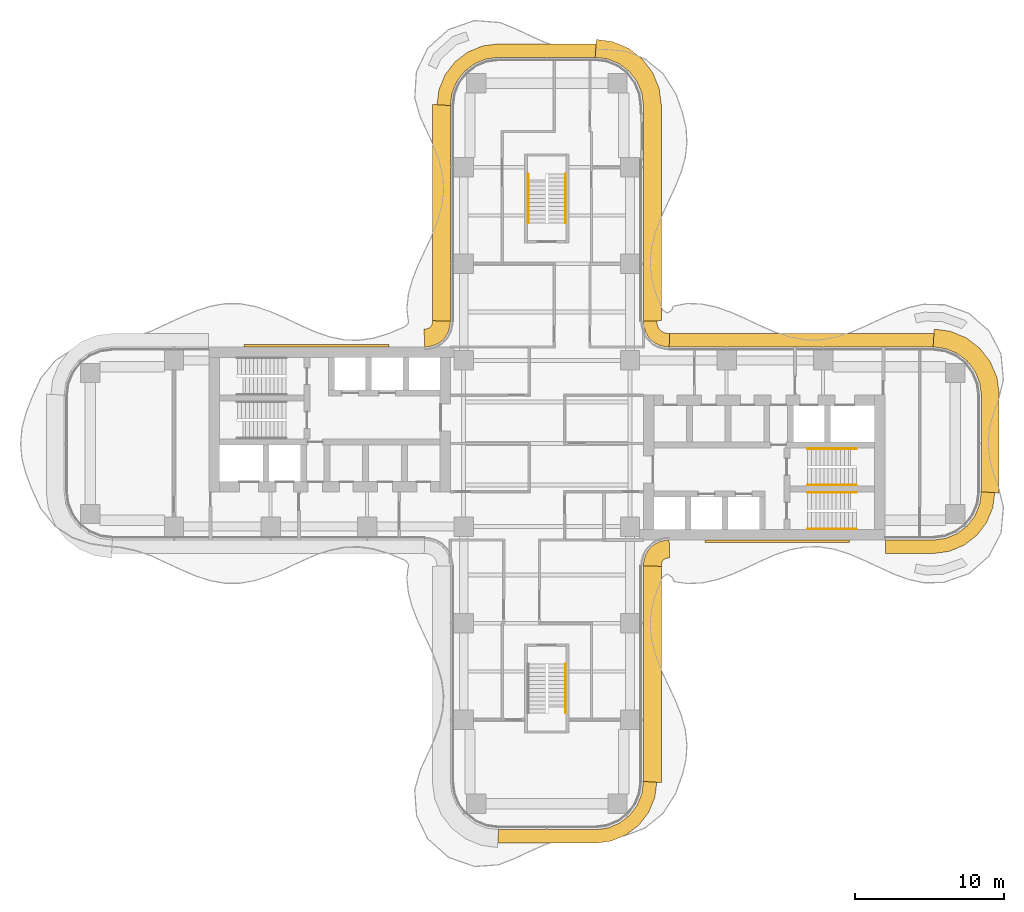
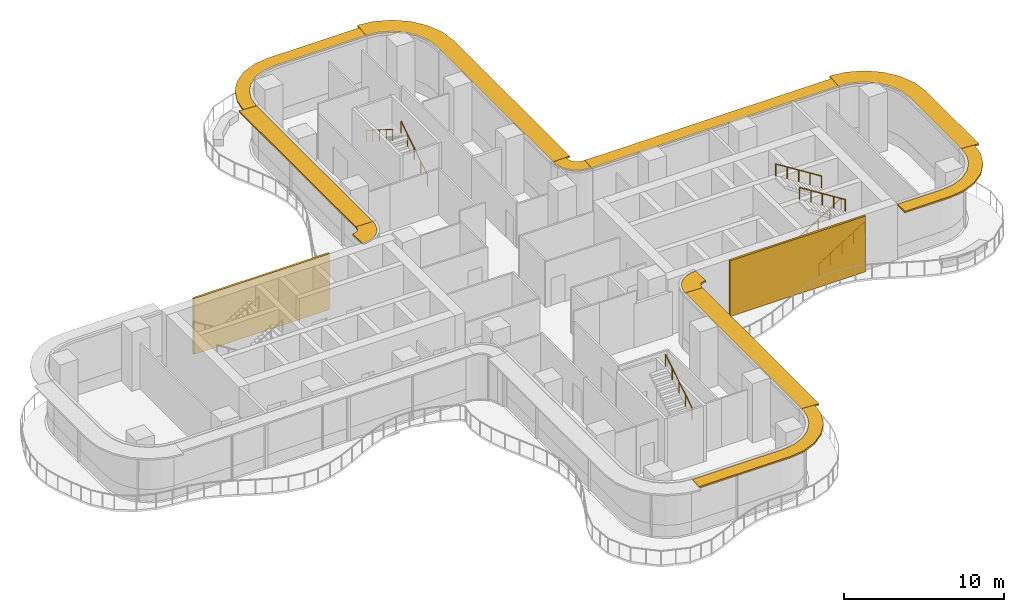
# One storey, part 20 of 20: 11 shading devices, 7 railings, 2 coverings.
"""IFC4 building model written with IfcOpenShell, lengths in metres."""

from ifc_helpers import new_model, si_unit, direction, frame, origin, origin_2d, place, context, subcontext, project, spatial, polyline, circle, outline, extrude, source, transform, mapped, material, layer, layer_set, type_object, element, save


model = new_model("IFC4")

# Units and contexts
model_context = context("Model", 3, precision=1e-05, world=origin(), true_north=direction((0.0, 1.0)))
body_context = subcontext(model_context, "Body", "Model", "MODEL_VIEW")
ifc_project = project(units=[si_unit("LENGTHUNIT", "METRE"), si_unit("AREAUNIT", "SQUARE_METRE"), si_unit("VOLUMEUNIT", "CUBIC_METRE"), si_unit("PLANEANGLEUNIT", "RADIAN"), si_unit("MASSUNIT", "GRAM", prefix="KILO")], contexts=[model_context])

# Site, building, storey
site_placement = place(None, origin())
site = spatial("IfcSite", under=ifc_project, at=site_placement, CompositionType="ELEMENT")
building_placement = place(site_placement, origin())
building = spatial("IfcBuilding", under=site, at=building_placement, Name="Trellis Farm Tower", CompositionType="ELEMENT")
storey_placement = place(building_placement, frame((0.0, 0.0, 133.5)))
storey = spatial("IfcBuildingStorey", under=building, at=storey_placement, Name="L28", CompositionType="ELEMENT", Elevation=133.5)

# Railings
ifc_material_1 = material(Name="Stainless steel", Category="steel")
railing_type = type_object("IfcRailingType", Name="STAIR HANDRAIL 900", PredefinedType="HANDRAIL", material=ifc_material_1)
shared_shape_1 = source(origin(), body_context, "Body", "SweptSolid", [
    extrude(circle(Radius=0.02392578125, at=origin_2d()), frame((0.0, 0.0, 0.8759765625), z_axis=(0.0, 0.846319618018, 0.532675421018), x_axis=(-1.0, 0.0, 0.0)), (0.0, 0.0, 1.0), 3.89892578125),
    extrude(circle(Radius=0.02099609375, at=origin_2d()), origin(), (0.0, 0.0, 1.0), 0.851806640625),
    extrude(circle(Radius=0.02099609375, at=origin_2d()), frame((0.0, 0.824951171875, 0.519287109375)), (0.0, 0.0, 1.0), 0.851806640625),
    extrude(circle(Radius=0.02099609375, at=origin_2d()), frame((0.0, 1.64990234375, 1.03857421875)), (0.0, 0.0, 1.0), 0.851806640625),
    extrude(circle(Radius=0.02099609375, at=origin_2d()), frame((0.0, 2.474853515625, 1.5576171875)), (0.0, 0.0, 1.0), 0.851806640625),
    extrude(circle(Radius=0.02099609375, at=origin_2d()), frame((0.0, 3.2998046875, 2.076904296875)), (0.0, 0.0, 1.0), 0.851806640625),
])
for number, where, name in (
    (1, (1.25, 14.85009765625, 0.173095703125), "Stair handrail"),
    (2, (1.25, -18.14990234375, 2.423095703125), "Stair handrail"),
):
    element("IfcRailing", number, at=place(storey_placement, frame(where)), inside=storey, type_object=railing_type, Name=name, PredefinedType="HANDRAIL", context=body_context, shape_type="MappedRepresentation", body=[
        mapped(shared_shape_1, transform((0.0, 0.0, 0.0))),
    ])
shared_shape_2 = source(origin(), body_context, "Body", "SweptSolid", [
    extrude(circle(Radius=0.02392578125, at=origin_2d()), frame((0.0, 0.0, 0.8759765625), z_axis=(0.0, -0.846319618018, 0.532675421018), x_axis=(1.0, 0.0, 0.0)), (0.0, 0.0, 1.0), 3.89892578125),
    extrude(circle(Radius=0.02099609375, at=origin_2d()), origin(), (0.0, 0.0, 1.0), 0.851806640625),
    extrude(circle(Radius=0.02099609375, at=origin_2d()), frame((0.0, -0.824951171875, 0.519287109375)), (0.0, 0.0, 1.0), 0.851806640625),
    extrude(circle(Radius=0.02099609375, at=origin_2d()), frame((0.0, -1.64990234375, 1.03857421875)), (0.0, 0.0, 1.0), 0.851806640625),
    extrude(circle(Radius=0.02099609375, at=origin_2d()), frame((0.0, -2.474853515625, 1.5576171875)), (0.0, 0.0, 1.0), 0.851806640625),
    extrude(circle(Radius=0.02099609375, at=origin_2d()), frame((0.0, -3.2998046875, 2.076904296875)), (0.0, 0.0, 1.0), 0.851806640625),
])
railing_placement = place(storey_placement, frame((-1.25, 18.14990234375, 2.423095703125)))
element("IfcRailing", 3, at=railing_placement, inside=storey, type_object=railing_type, Name="Stair handrail", PredefinedType="HANDRAIL", context=body_context, shape_type="MappedRepresentation", body=[
    mapped(shared_shape_2, transform((0.0, 0.0, 0.0))),
])
shared_shape_3 = source(origin(), body_context, "Body", "SweptSolid", [
    extrude(circle(Radius=0.02392578125, at=origin_2d()), frame((0.0, 0.0, 0.8759765625), z_axis=(0.846337383501, 0.0, 0.532647194011), x_axis=(0.0, 1.0, 0.0)), (0.0, 0.0, 1.0), 3.899169921875),
    extrude(circle(Radius=0.02099609375, at=origin_2d()), origin(), (0.0, 0.0, 1.0), 0.851806640625),
    extrude(circle(Radius=0.02099609375, at=origin_2d()), frame((0.824951171875, 0.0, 0.519287109375)), (0.0, 0.0, 1.0), 0.851806640625),
    extrude(circle(Radius=0.02099609375, at=origin_2d()), frame((1.64990234375, 0.0, 1.03857421875)), (0.0, 0.0, 1.0), 0.851806640625),
    extrude(circle(Radius=0.02099609375, at=origin_2d()), frame((2.47509765625, 0.0, 1.5576171875)), (0.0, 0.0, 1.0), 0.851806640625),
    extrude(circle(Radius=0.02099609375, at=origin_2d()), frame((3.300048828125, 0.0, 2.076904296875)), (0.0, 0.0, 1.0), 0.851806640625),
])
for number, where, name in (
    (4, (17.550048828125, -5.75, 0.173095703125), "Stair handrail"),
    (5, (17.550048828125, -2.800048828125, 0.173095703125), "Stair handrail"),
):
    element("IfcRailing", number, at=place(storey_placement, frame(where)), inside=storey, type_object=railing_type, Name=name, PredefinedType="HANDRAIL", context=body_context, shape_type="MappedRepresentation", body=[
        mapped(shared_shape_3, transform((0.0, 0.0, 0.0))),
    ])
shared_shape_4 = source(origin(), body_context, "Body", "SweptSolid", [
    extrude(circle(Radius=0.02392578125, at=origin_2d()), frame((0.0, 0.0, 0.8759765625), z_axis=(-0.846337383501, 0.0, 0.532647194011), x_axis=(0.0, -1.0, 0.0)), (0.0, 0.0, 1.0), 3.899169921875),
    extrude(circle(Radius=0.02099609375, at=origin_2d()), origin(), (0.0, 0.0, 1.0), 0.851806640625),
    extrude(circle(Radius=0.02099609375, at=origin_2d()), frame((-0.824951171875, 0.0, 0.519287109375)), (0.0, 0.0, 1.0), 0.851806640625),
    extrude(circle(Radius=0.02099609375, at=origin_2d()), frame((-1.64990234375, 0.0, 1.03857421875)), (0.0, 0.0, 1.0), 0.851806640625),
    extrude(circle(Radius=0.02099609375, at=origin_2d()), frame((-2.47509765625, 0.0, 1.5576171875)), (0.0, 0.0, 1.0), 0.851806640625),
    extrude(circle(Radius=0.02099609375, at=origin_2d()), frame((-3.300048828125, 0.0, 2.076904296875)), (0.0, 0.0, 1.0), 0.851806640625),
])
for number, where, name in (
    (6, (20.85009765625, -3.300048828125, 2.423095703125), "Stair handrail"),
    (7, (20.85009765625, -0.35009765625, 2.423095703125), "Stair handrail"),
):
    element("IfcRailing", number, at=place(storey_placement, frame(where)), inside=storey, type_object=railing_type, Name=name, PredefinedType="HANDRAIL", context=body_context, shape_type="MappedRepresentation", body=[
        mapped(shared_shape_4, transform((0.0, 0.0, 0.0))),
    ])

# Shading devices
ifc_material_2 = material(Name="Aluminium extrusion 6063-T6", Category="aluminium")
ifc_layer_1 = layer(ifc_material_2, 0.1201171875)
ifc_layer_set_1 = layer_set([ifc_layer_1], Name="SUNSHADE BLADE 1200")
shading_device_type_1 = type_object("IfcShadingDeviceType", Name="SUNSHADE BLADE 1200", PredefinedType="USERDEFINED", material=ifc_layer_set_1)
shared_shape_5 = source(origin(), body_context, "Body", "SweptSolid", [
    extrude(outline(polyline([(7.699951171875, -8.270751953125), (7.708740234375, -8.13720703125), (7.70703125, -8.150146484375), (7.7548828125, -7.9716796875), (7.80712890625, -7.881103515625), (7.881103515625, -7.80712890625), (7.9716796875, -7.7548828125), (8.150146484375, -7.70703125), (8.13720703125, -7.708740234375), (8.270751953125, -7.699951171875), (8.2314453125, -6.5), (8.01953125, -6.513916015625), (7.91552734375, -6.527587890625), (7.508544921875, -6.63671875), (7.144287109375, -6.846923828125), (6.846923828125, -7.144287109375), (6.63671875, -7.508544921875), (6.527587890625, -7.91552734375), (6.513916015625, -8.01953125), (6.5, -8.2314453125), (7.699951171875, -8.270751953125)])), origin(), (0.0, 0.0, 1.0), 0.119873046875),
])
placement_1 = place(storey_placement, frame((0.0, 0.0, 4.090087890625)))
element("IfcShadingDevice", 8, at=placement_1, inside=storey, type_object=shading_device_type_1, Name="SD2 006", ObjectType="SUNSHADE", PredefinedType="USERDEFINED", context=body_context, shape_type="MappedRepresentation", body=[
    mapped(shared_shape_5, transform((0.0, 0.0, 0.0))),
])
ifc_layer_2 = layer(ifc_material_2, 0.1201171875)
ifc_layer_set_2 = layer_set([ifc_layer_2], Name="SUNSHADE BLADE 900")
shading_device_type_2 = type_object("IfcShadingDeviceType", Name="SUNSHADE BLADE 900", PredefinedType="USERDEFINED", material=ifc_layer_set_2)
shared_shape_6 = source(origin(), body_context, "Body", "SweptSolid", [
    extrude(outline(polyline([(8.2607421875, 7.39990234375), (8.107666015625, 7.409912109375), (8.091552734375, 7.412109375), (7.85595703125, 7.475341796875), (7.697021484375, 7.567138671875), (7.567138671875, 7.697021484375), (7.475341796875, 7.85595703125), (7.412109375, 8.091552734375), (7.409912109375, 8.107666015625), (7.39990234375, 8.2607421875), (6.5, 8.2314453125), (6.513916015625, 8.01953125), (6.527587890625, 7.91552734375), (6.63671875, 7.508544921875), (6.846923828125, 7.144287109375), (7.144287109375, 6.846923828125), (7.508544921875, 6.63671875), (7.91552734375, 6.527587890625), (8.01953125, 6.513916015625), (8.2314453125, 6.5), (8.2607421875, 7.39990234375)])), origin(), (0.0, 0.0, 1.0), 0.119873046875),
])
element("IfcShadingDevice", 9, at=placement_1, inside=storey, type_object=shading_device_type_2, Name="SD1 010", ObjectType="SUNSHADE", PredefinedType="USERDEFINED", context=body_context, shape_type="MappedRepresentation", body=[
    mapped(shared_shape_6, transform((0.0, 0.0, 0.0))),
])
shared_shape_7 = source(origin(), body_context, "Body", "SweptSolid", [
    extrude(outline(polyline([(-7.699951171875, 8.270751953125), (-7.708740234375, 8.13720703125), (-7.70703125, 8.150146484375), (-7.7548828125, 7.9716796875), (-7.80712890625, 7.881103515625), (-7.881103515625, 7.80712890625), (-7.9716796875, 7.7548828125), (-8.150146484375, 7.70703125), (-8.13720703125, 7.708740234375), (-8.270751953125, 7.699951171875), (-8.2314453125, 6.5), (-8.01953125, 6.513916015625), (-7.91552734375, 6.527587890625), (-7.508544921875, 6.63671875), (-7.144287109375, 6.846923828125), (-6.846923828125, 7.144287109375), (-6.63671875, 7.508544921875), (-6.527587890625, 7.91552734375), (-6.513916015625, 8.01953125), (-6.5, 8.2314453125), (-7.699951171875, 8.270751953125)])), origin(), (0.0, 0.0, 1.0), 0.119873046875),
])
element("IfcShadingDevice", 10, at=placement_1, inside=storey, type_object=shading_device_type_1, Name="SD2 014", ObjectType="SUNSHADE", PredefinedType="USERDEFINED", context=body_context, shape_type="MappedRepresentation", body=[
    mapped(shared_shape_7, transform((0.0, 0.0, 0.0))),
])

# Coverings
ifc_material_3 = material(Name="Perforated precast screen (cobogo)", Category="concrete")
ifc_layer_3 = layer(ifc_material_3, 0.14990234375)
ifc_layer_set_3 = layer_set([ifc_layer_3], Name="COBOGO SCREEN PANEL")
covering_type = type_object("IfcCoveringType", Name="COBOGO SCREEN PANEL", PredefinedType="USERDEFINED", material=ifc_layer_set_3)
shared_shape_8 = source(origin(), body_context, "Body", "SweptSolid", [
    extrude(outline(polyline([(10.630615234375, -6.64990234375), (20.380615234375, -6.64990234375), (20.380615234375, -6.5), (10.630615234375, -6.5), (10.630615234375, -6.64990234375)])), origin(), (0.0, 0.0, 1.0), 4.25),
])
placement_2 = place(storey_placement, origin())
element("IfcCovering", 11, at=placement_2, inside=storey, type_object=covering_type, Name="SC1 01", ObjectType="SCREEN", PredefinedType="USERDEFINED", context=body_context, shape_type="MappedRepresentation", body=[
    mapped(shared_shape_8, transform((0.0, 0.0, 0.0))),
])
shared_shape_9 = source(origin(), body_context, "Body", "SweptSolid", [
    extrude(outline(polyline([(-10.630615234375, 6.64990234375), (-20.380615234375, 6.64990234375), (-20.380615234375, 6.5), (-10.630615234375, 6.5), (-10.630615234375, 6.64990234375)])), origin(), (0.0, 0.0, 1.0), 4.25),
])
element("IfcCovering", 12, at=placement_2, inside=storey, type_object=covering_type, Name="SC1 02", ObjectType="SCREEN", PredefinedType="USERDEFINED", context=body_context, shape_type="MappedRepresentation", body=[
    mapped(shared_shape_9, transform((0.0, 0.0, 0.0))),
])

# Shading devices
shared_shape_10 = source(origin(), body_context, "Body", "SweptSolid", [
    extrude(outline(polyline([(7.699951171875, 8.270751953125), (7.699951171875, 22.82861328125), (7.558349609375, 23.904541015625), (7.11279296875, 24.980224609375), (6.404052734375, 25.904052734375), (5.480224609375, 26.61279296875), (4.404541015625, 27.058349609375), (3.32861328125, 27.199951171875), (3.25, 26.0), (4.091064453125, 25.88916015625), (4.875, 25.564697265625), (5.548095703125, 25.048095703125), (6.064697265625, 24.375), (6.38916015625, 23.591064453125), (6.5, 22.75), (6.5, 8.2314453125), (7.699951171875, 8.270751953125)])), origin(), (0.0, 0.0, 1.0), 0.119873046875),
])
element("IfcShadingDevice", 13, at=placement_1, inside=storey, type_object=shading_device_type_1, Name="SD2 011", ObjectType="SUNSHADE", PredefinedType="USERDEFINED", context=body_context, shape_type="MappedRepresentation", body=[
    mapped(shared_shape_10, transform((0.0, 0.0, 0.0))),
])
shared_shape_11 = source(origin(), body_context, "Body", "SweptSolid", [
    extrude(outline(polyline([(3.30908203125, 26.89990234375), (-3.30908203125, 26.89990234375), (-4.326171875, 26.76611328125), (-5.328857421875, 26.350830078125), (-6.18994140625, 25.68994140625), (-6.850830078125, 24.828857421875), (-7.26611328125, 23.826171875), (-7.39990234375, 22.80908203125), (-6.5, 22.75), (-6.38916015625, 23.591064453125), (-6.064697265625, 24.375), (-5.548095703125, 25.048095703125), (-4.875, 25.564697265625), (-4.091064453125, 25.88916015625), (-3.25, 26.0), (3.25, 26.0), (3.30908203125, 26.89990234375)])), origin(), (0.0, 0.0, 1.0), 0.119873046875),
])
element("IfcShadingDevice", 14, at=placement_1, inside=storey, type_object=shading_device_type_2, Name="SD1 012", ObjectType="SUNSHADE", PredefinedType="USERDEFINED", context=body_context, shape_type="MappedRepresentation", body=[
    mapped(shared_shape_11, transform((0.0, 0.0, 0.0))),
])
shared_shape_12 = source(origin(), body_context, "Body", "SweptSolid", [
    extrude(outline(polyline([(-7.699951171875, 22.82861328125), (-7.699951171875, 8.270751953125), (-6.5, 8.2314453125), (-6.5, 22.75), (-7.699951171875, 22.82861328125)])), origin(), (0.0, 0.0, 1.0), 0.119873046875),
])
element("IfcShadingDevice", 15, at=placement_1, inside=storey, type_object=shading_device_type_1, Name="SD2 013", ObjectType="SUNSHADE", PredefinedType="USERDEFINED", context=body_context, shape_type="MappedRepresentation", body=[
    mapped(shared_shape_12, transform((0.0, 0.0, 0.0))),
])
shared_shape_13 = source(origin(), body_context, "Body", "SweptSolid", [
    extrude(outline(polyline([(22.780029296875, -7.39990234375), (26.05908203125, -7.39990234375), (27.076171875, -7.26611328125), (28.078857421875, -6.850830078125), (28.93994140625, -6.18994140625), (29.600830078125, -5.328857421875), (30.01611328125, -4.326171875), (30.14990234375, -3.30908203125), (29.25, -3.25), (29.13916015625, -4.091064453125), (28.814697265625, -4.875), (28.298095703125, -5.548095703125), (27.625, -6.064697265625), (26.841064453125, -6.38916015625), (26.0, -6.5), (22.780029296875, -6.5), (22.780029296875, -7.39990234375)])), origin(), (0.0, 0.0, 1.0), 0.119873046875),
])
element("IfcShadingDevice", 16, at=placement_1, inside=storey, type_object=shading_device_type_2, Name="SD1 007", ObjectType="SUNSHADE", PredefinedType="USERDEFINED", context=body_context, shape_type="MappedRepresentation", body=[
    mapped(shared_shape_13, transform((0.0, 0.0, 0.0))),
])
shared_shape_14 = source(origin(), body_context, "Body", "SweptSolid", [
    extrude(outline(polyline([(30.449951171875, -3.32861328125), (30.449951171875, 3.32861328125), (30.308349609375, 4.404541015625), (29.86279296875, 5.480224609375), (29.154052734375, 6.404052734375), (28.230224609375, 7.11279296875), (27.154541015625, 7.558349609375), (26.07861328125, 7.699951171875), (26.0, 6.5), (26.841064453125, 6.38916015625), (27.625, 6.064697265625), (28.298095703125, 5.548095703125), (28.814697265625, 4.875), (29.13916015625, 4.091064453125), (29.25, 3.25), (29.25, -3.25), (30.449951171875, -3.32861328125)])), origin(), (0.0, 0.0, 1.0), 0.119873046875),
])
element("IfcShadingDevice", 17, at=placement_1, inside=storey, type_object=shading_device_type_1, Name="SD2 008", ObjectType="SUNSHADE", PredefinedType="USERDEFINED", context=body_context, shape_type="MappedRepresentation", body=[
    mapped(shared_shape_14, transform((0.0, 0.0, 0.0))),
])
shared_shape_15 = source(origin(), body_context, "Body", "SweptSolid", [
    extrude(outline(polyline([(26.05908203125, 7.39990234375), (8.2607421875, 7.39990234375), (8.2314453125, 6.5), (26.0, 6.5), (26.05908203125, 7.39990234375)])), origin(), (0.0, 0.0, 1.0), 0.119873046875),
])
element("IfcShadingDevice", 18, at=placement_1, inside=storey, type_object=shading_device_type_2, Name="SD1 009", ObjectType="SUNSHADE", PredefinedType="USERDEFINED", context=body_context, shape_type="MappedRepresentation", body=[
    mapped(shared_shape_15, transform((0.0, 0.0, 0.0))),
])
shared_shape_16 = source(origin(), body_context, "Body", "SweptSolid", [
    extrude(outline(polyline([(-3.30908203125, -26.89990234375), (3.30908203125, -26.89990234375), (4.326171875, -26.76611328125), (5.328857421875, -26.350830078125), (6.18994140625, -25.68994140625), (6.850830078125, -24.828857421875), (7.26611328125, -23.826171875), (7.39990234375, -22.80908203125), (6.5, -22.75), (6.38916015625, -23.591064453125), (6.064697265625, -24.375), (5.548095703125, -25.048095703125), (4.875, -25.564697265625), (4.091064453125, -25.88916015625), (3.25, -26.0), (-3.25, -26.0), (-3.30908203125, -26.89990234375)])), origin(), (0.0, 0.0, 1.0), 0.119873046875),
])
element("IfcShadingDevice", 19, at=placement_1, inside=storey, type_object=shading_device_type_2, Name="SD1 004", ObjectType="SUNSHADE", PredefinedType="USERDEFINED", context=body_context, shape_type="MappedRepresentation", body=[
    mapped(shared_shape_16, transform((0.0, 0.0, 0.0))),
])
shared_shape_17 = source(origin(), body_context, "Body", "SweptSolid", [
    extrude(outline(polyline([(7.699951171875, -22.82861328125), (7.699951171875, -8.270751953125), (6.5, -8.2314453125), (6.5, -22.75), (7.699951171875, -22.82861328125)])), origin(), (0.0, 0.0, 1.0), 0.119873046875),
])
element("IfcShadingDevice", 20, at=placement_1, inside=storey, type_object=shading_device_type_1, Name="SD2 005", ObjectType="SUNSHADE", PredefinedType="USERDEFINED", context=body_context, shape_type="MappedRepresentation", body=[
    mapped(shared_shape_17, transform((0.0, 0.0, 0.0))),
])

save(model, "model.ifc")
